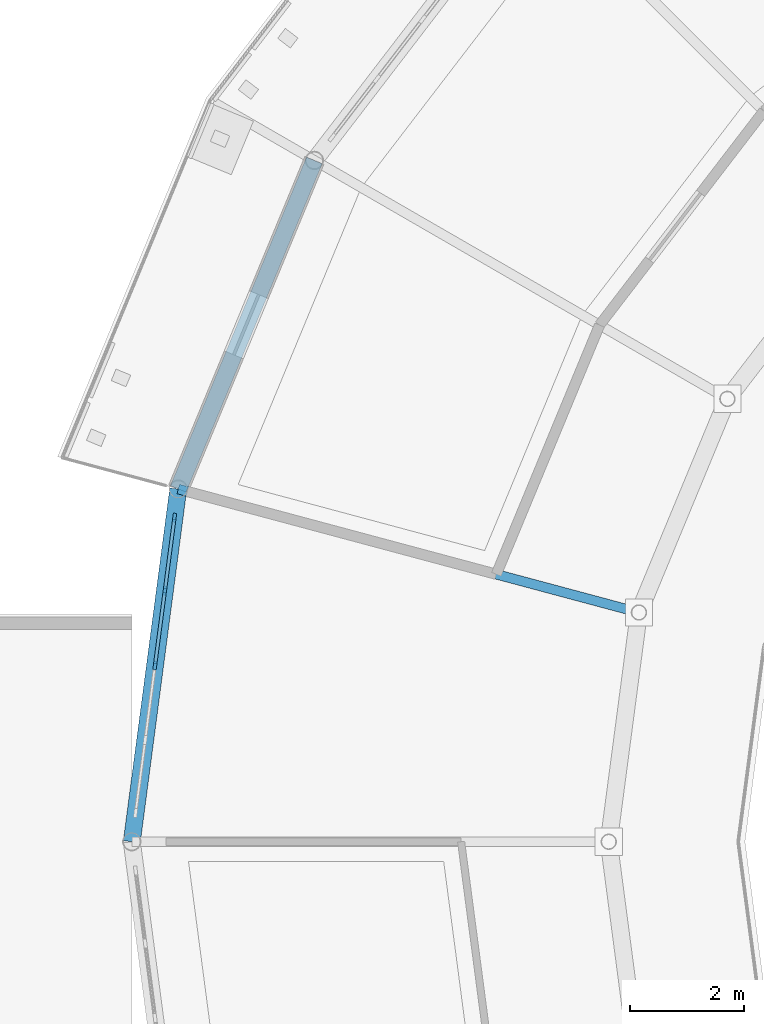
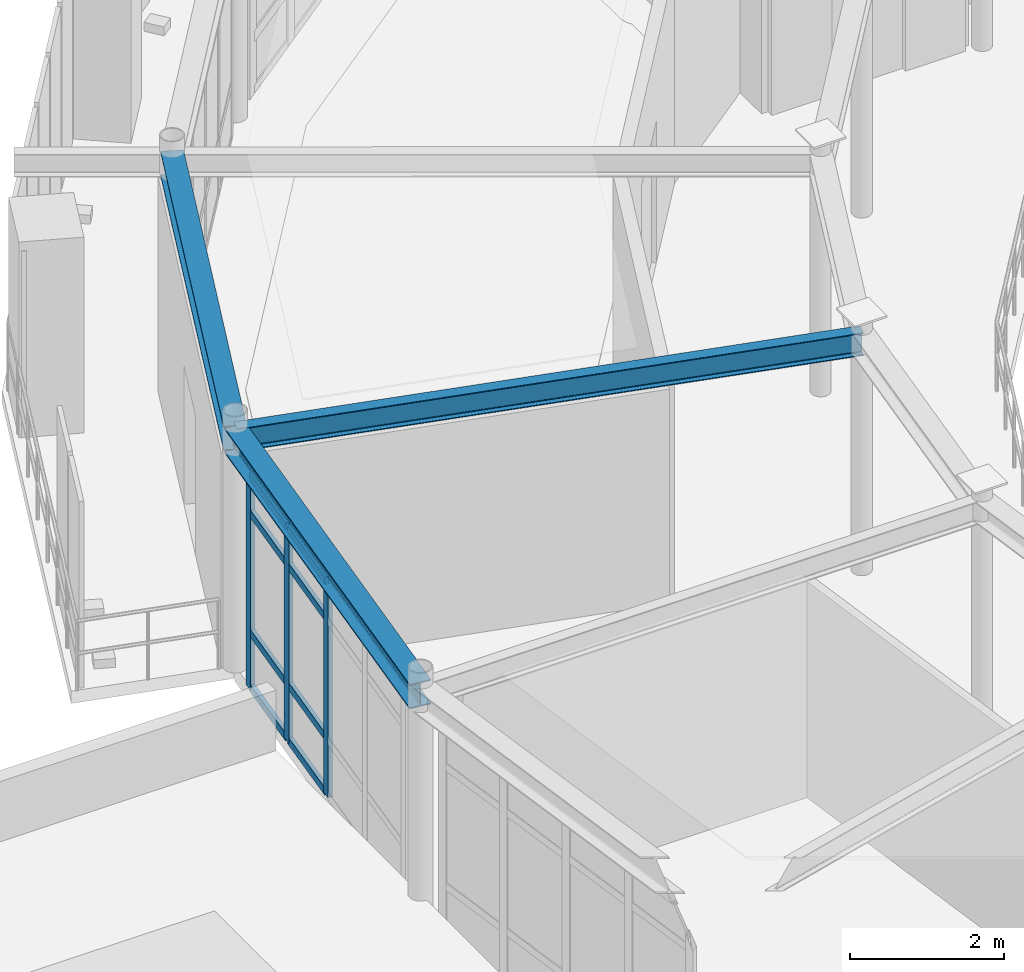
# One storey, part 21 of 70: 11 members, 3 beams, 1 element without a shape of its own.
"""IFC4 building model written with IfcOpenShell, lengths in metres."""

from ifc_helpers import new_model, si_unit, derived_unit, direction, frame, origin, origin_2d, place, context, subcontext, project, spatial, rectangle, i_section, extrude, material, layer, layer_set, material_profile, profile_set, type_object, element, aggregate, save


model = new_model("IFC4")

# Units and contexts
model_context = context("Model", 3, precision=1e-05, world=origin(), true_north=direction((0.0, 1.0)))
body_context = subcontext(model_context, "Body", "Model", "MODEL_VIEW")
ifc_project = project(units=[si_unit("LENGTHUNIT", "METRE"), si_unit("AREAUNIT", "SQUARE_METRE"), si_unit("VOLUMEUNIT", "CUBIC_METRE"), si_unit("PLANEANGLEUNIT", "RADIAN"), si_unit("MASSUNIT", "GRAM", prefix="KILO"), derived_unit("THERMALTRANSMITTANCEUNIT", [(si_unit("POWERUNIT", "WATT"), 1), (si_unit("AREAUNIT", "SQUARE_METRE"), -1), (si_unit("THERMODYNAMICTEMPERATUREUNIT", "KELVIN"), -1)])], contexts=[model_context])

# Site, building, storey
site_placement = place(None, origin())
site = spatial("IfcSite", under=ifc_project, at=site_placement, CompositionType="ELEMENT")
building_placement = place(site_placement, origin())
building = spatial("IfcBuilding", under=site, at=building_placement, Name="Yasenodar Specialist Clinic", CompositionType="ELEMENT")
storey_placement = place(building_placement, frame((0.0, 0.0, 13.199951171875)))
storey = spatial("IfcBuildingStorey", under=building, at=storey_placement, Name="L03", CompositionType="ELEMENT", Elevation=13.199951171875)

# Beams
ifc_material_1 = material(Name="Steel S355", Category="steel")
ifc_material_profile_1 = material_profile(ifc_material_1, i_section(OverallWidth=0.300048828125, OverallDepth=0.389892578125, WebThickness=0.010986328125, FlangeThickness=0.01904296875, FilletRadius=0.027099609375, at=origin_2d()), Name="HEA 400")
ifc_profile_set_1 = profile_set([ifc_material_profile_1], Name="Steel S355")
beam_type_1 = type_object("IfcBeamType", Name="BM-HEA400", PredefinedType="BEAM", material=ifc_profile_set_1)
beam_1_placement = place(storey_placement, frame((60.21533203125, 70.800048828125, 3.60498046875), z_axis=(-0.382663829839, -0.9238876519, 0.0), x_axis=(0.9238876519, -0.382663829839, 0.0)))
element("IfcBeam", 1, at=beam_1_placement, inside=storey, type_object=beam_type_1, Name="L03 Drum V1 Perimeter Ring Beam", PredefinedType="BEAM", context=body_context, shape_type="SweptSolid", body=[
    extrude(i_section(OverallWidth=0.300048828125, OverallDepth=0.389892578125, WebThickness=0.010986328125, FlangeThickness=0.01904296875, FilletRadius=0.027099609375, at=origin_2d()), origin(), (0.0, 0.0, 1.0), 6.26513671875),
])
beam_2_placement = place(storey_placement, frame((57.81787109375, 65.01171875, 3.60498046875), z_axis=(-0.130540192224, -0.991443018138, 0.0), x_axis=(0.991443018138, -0.130540192224, 0.0)))
element("IfcBeam", 2, at=beam_2_placement, inside=storey, type_object=beam_type_1, Name="L03 Drum V1 Perimeter Ring Beam", PredefinedType="BEAM", context=body_context, shape_type="SweptSolid", body=[
    extrude(i_section(OverallWidth=0.300048828125, OverallDepth=0.389892578125, WebThickness=0.010986328125, FlangeThickness=0.01904296875, FilletRadius=0.027099609375, at=origin_2d()), origin(), (0.0, 0.0, 1.0), 6.265380859375),
])
ifc_material_profile_2 = material_profile(ifc_material_1, i_section(OverallWidth=0.169921875, OverallDepth=0.360107421875, WebThickness=0.008056640625, FlangeThickness=0.0126953125, FilletRadius=0.01806640625, at=origin_2d()), Name="IPE 360")
ifc_profile_set_2 = profile_set([ifc_material_profile_2], Name="Steel S355")
beam_type_2 = type_object("IfcBeamType", Name="BM-IPE360", PredefinedType="BEAM", material=ifc_profile_set_2)
beam_3_placement = place(storey_placement, frame((65.931640625, 62.837646484375, 3.6201171875), z_axis=(-0.965925996761, 0.258818408893, 0.0), x_axis=(-0.258818408893, -0.965925996761, 0.0)))
element("IfcBeam", 3, at=beam_3_placement, inside=storey, type_object=beam_type_2, Name="L03 Drum V1 Radial Beam", PredefinedType="BEAM", context=body_context, shape_type="SweptSolid", body=[
    extrude(i_section(OverallWidth=0.169921875, OverallDepth=0.360107421875, WebThickness=0.008056640625, FlangeThickness=0.0126953125, FilletRadius=0.01806640625, at=origin_2d()), origin(), (0.0, 0.0, 1.0), 8.39990234375),
])

# Curtain wall, members
ifc_material_2 = material(Name="Bronze Anodized Aluminium and Triple Low-E Glass", Category="aluminium")
ifc_layer = layer(ifc_material_2, 0.1669921875)
ifc_layer_set = layer_set([ifc_layer], Name="Bronze Anodized Aluminium and Triple Low-E Glass")
curtain_wall_type = type_object("IfcCurtainWallType", Name="CW-SYS-01", PredefinedType="USERDEFINED", material=ifc_layer_set)
curtain_wall_placement = place(storey_placement, origin())
curtain_wall = element("IfcCurtainWall", 4, at=curtain_wall_placement, inside=storey, type_object=curtain_wall_type, Name="L03 Unitised Curtain Wall 047", ObjectType="UNITISED CURTAIN WALL", PredefinedType="USERDEFINED")
ifc_material_3 = material(Name="Bronze Anodized Aluminium", Category="aluminium")
ifc_material_profile_3 = material_profile(ifc_material_3, rectangle(XDim=0.06005859375, YDim=0.159912109375, at=origin_2d()), Name="CW-MULL 60x160")
ifc_profile_set_3 = profile_set([ifc_material_profile_3], Name="Bronze Anodized Aluminium")
member_type_1 = type_object("IfcMemberType", Name="CW-MULL-160", PredefinedType="MULLION", material=ifc_profile_set_3)
member_1_placement = place(storey_placement, frame((57.408935546875, 61.90576171875, 0.0), z_axis=(0.0, 0.0, 1.0), x_axis=(-0.991446787601, 0.13051156024, 0.0)))
member_1 = element("IfcMember", 5, at=member_1_placement, type_object=member_type_1, Name="CW-01 mullion 3", PredefinedType="MULLION", context=body_context, shape_type="SweptSolid", body=[
    extrude(rectangle(XDim=0.06005859375, YDim=0.159912109375, at=origin_2d()), origin(), (0.0, 0.0, 1.0), 3.387939453125),
])
member_2_placement = place(storey_placement, frame((57.58203125, 63.220703125, 0.0), z_axis=(0.0, 0.0, 1.0), x_axis=(-0.991446787601, 0.13051156024, 0.0)))
member_2 = element("IfcMember", 6, at=member_2_placement, type_object=member_type_1, Name="CW-01 mullion 4", PredefinedType="MULLION", context=body_context, shape_type="SweptSolid", body=[
    extrude(rectangle(XDim=0.06005859375, YDim=0.159912109375, at=origin_2d()), origin(), (0.0, 0.0, 1.0), 3.387939453125),
])
member_3_placement = place(storey_placement, frame((57.751220703125, 64.506103515625, 0.0), z_axis=(0.0, 0.0, 1.0), x_axis=(-0.991446787601, 0.13051156024, 0.0)))
member_3 = element("IfcMember", 7, at=member_3_placement, type_object=member_type_1, Name="CW-01 mullion 5", PredefinedType="MULLION", context=body_context, shape_type="SweptSolid", body=[
    extrude(rectangle(XDim=0.06005859375, YDim=0.159912109375, at=origin_2d()), origin(), (0.0, 0.0, 1.0), 3.387939453125),
])
ifc_material_profile_4 = material_profile(ifc_material_3, rectangle(XDim=0.06005859375, YDim=0.1201171875, at=origin_2d()), Name="CW-TRAN 60x120")
ifc_profile_set_4 = profile_set([ifc_material_profile_4], Name="Bronze Anodized Aluminium")
member_type_2 = type_object("IfcMemberType", Name="CW-TRAN-120", PredefinedType="USERDEFINED", material=ifc_profile_set_4)
member_4_placement = place(storey_placement, frame((57.412841796875, 61.935546875, 0.030029296875), z_axis=(0.13050936627, 0.991447076407, 0.0), x_axis=(-0.991447076407, 0.13050936627, 0.0)))
member_4 = element("IfcMember", 8, at=member_4_placement, type_object=member_type_2, Name="CW-01 transom 3.1", ObjectType="TRANSOM", PredefinedType="USERDEFINED", context=body_context, shape_type="SweptSolid", body=[
    extrude(rectangle(XDim=0.06005859375, YDim=0.1201171875, at=origin_2d()), origin(), (0.0, 0.0, 1.0), 1.266357421875),
])
member_5_placement = place(storey_placement, frame((57.412841796875, 61.935546875, 0.900146484375), z_axis=(0.13050936627, 0.991447076407, 0.0), x_axis=(-0.991447076407, 0.13050936627, 0.0)))
member_5 = element("IfcMember", 9, at=member_5_placement, type_object=member_type_2, Name="CW-01 transom 3.2", ObjectType="TRANSOM", PredefinedType="USERDEFINED", context=body_context, shape_type="SweptSolid", body=[
    extrude(rectangle(XDim=0.06005859375, YDim=0.1201171875, at=origin_2d()), origin(), (0.0, 0.0, 1.0), 1.266357421875),
])
member_6_placement = place(storey_placement, frame((57.412841796875, 61.935546875, 2.7880859375), z_axis=(0.13050936627, 0.991447076407, 0.0), x_axis=(-0.991447076407, 0.13050936627, 0.0)))
member_6 = element("IfcMember", 10, at=member_6_placement, type_object=member_type_2, Name="CW-01 transom 3.3", ObjectType="TRANSOM", PredefinedType="USERDEFINED", context=body_context, shape_type="SweptSolid", body=[
    extrude(rectangle(XDim=0.06005859375, YDim=0.1201171875, at=origin_2d()), origin(), (0.0, 0.0, 1.0), 1.266357421875),
])
member_7_placement = place(storey_placement, frame((57.412841796875, 61.935546875, 3.358154296875), z_axis=(0.13050936627, 0.991447076407, 0.0), x_axis=(-0.991447076407, 0.13050936627, 0.0)))
member_7 = element("IfcMember", 11, at=member_7_placement, type_object=member_type_2, Name="CW-01 transom 3.4", ObjectType="TRANSOM", PredefinedType="USERDEFINED", context=body_context, shape_type="SweptSolid", body=[
    extrude(rectangle(XDim=0.06005859375, YDim=0.1201171875, at=origin_2d()), origin(), (0.0, 0.0, 1.0), 1.266357421875),
])
member_8_placement = place(storey_placement, frame((57.5859375, 63.25048828125, 0.030029296875), z_axis=(0.130520914683, 0.99144555616, 0.0), x_axis=(-0.99144555616, 0.130520914683, 0.0)))
member_8 = element("IfcMember", 12, at=member_8_placement, type_object=member_type_2, Name="CW-01 transom 4.1", ObjectType="TRANSOM", PredefinedType="USERDEFINED", context=body_context, shape_type="SweptSolid", body=[
    extrude(rectangle(XDim=0.06005859375, YDim=0.1201171875, at=origin_2d()), origin(), (0.0, 0.0, 1.0), 1.236328125),
])
member_9_placement = place(storey_placement, frame((57.5859375, 63.25048828125, 0.900146484375), z_axis=(0.130520914683, 0.99144555616, 0.0), x_axis=(-0.99144555616, 0.130520914683, 0.0)))
member_9 = element("IfcMember", 13, at=member_9_placement, type_object=member_type_2, Name="CW-01 transom 4.2", ObjectType="TRANSOM", PredefinedType="USERDEFINED", context=body_context, shape_type="SweptSolid", body=[
    extrude(rectangle(XDim=0.06005859375, YDim=0.1201171875, at=origin_2d()), origin(), (0.0, 0.0, 1.0), 1.236328125),
])
member_10_placement = place(storey_placement, frame((57.5859375, 63.25048828125, 2.7880859375), z_axis=(0.130520914683, 0.99144555616, 0.0), x_axis=(-0.99144555616, 0.130520914683, 0.0)))
member_10 = element("IfcMember", 14, at=member_10_placement, type_object=member_type_2, Name="CW-01 transom 4.3", ObjectType="TRANSOM", PredefinedType="USERDEFINED", context=body_context, shape_type="SweptSolid", body=[
    extrude(rectangle(XDim=0.06005859375, YDim=0.1201171875, at=origin_2d()), origin(), (0.0, 0.0, 1.0), 1.236328125),
])
member_11_placement = place(storey_placement, frame((57.5859375, 63.25048828125, 3.358154296875), z_axis=(0.130520914683, 0.99144555616, 0.0), x_axis=(-0.99144555616, 0.130520914683, 0.0)))
member_11 = element("IfcMember", 15, at=member_11_placement, type_object=member_type_2, Name="CW-01 transom 4.4", ObjectType="TRANSOM", PredefinedType="USERDEFINED", context=body_context, shape_type="SweptSolid", body=[
    extrude(rectangle(XDim=0.06005859375, YDim=0.1201171875, at=origin_2d()), origin(), (0.0, 0.0, 1.0), 1.236328125),
])
aggregate(curtain_wall, [member_1, member_2, member_3, member_4, member_5, member_6, member_7, member_8, member_9, member_10, member_11])

save(model, "model.ifc")
